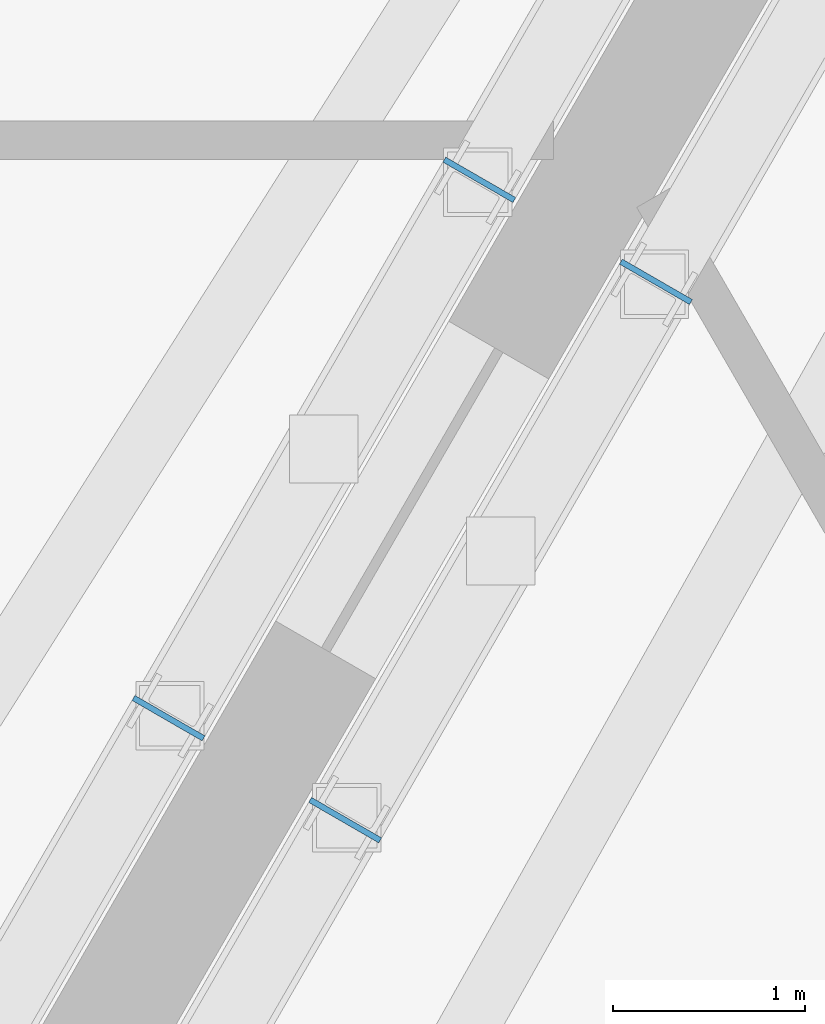
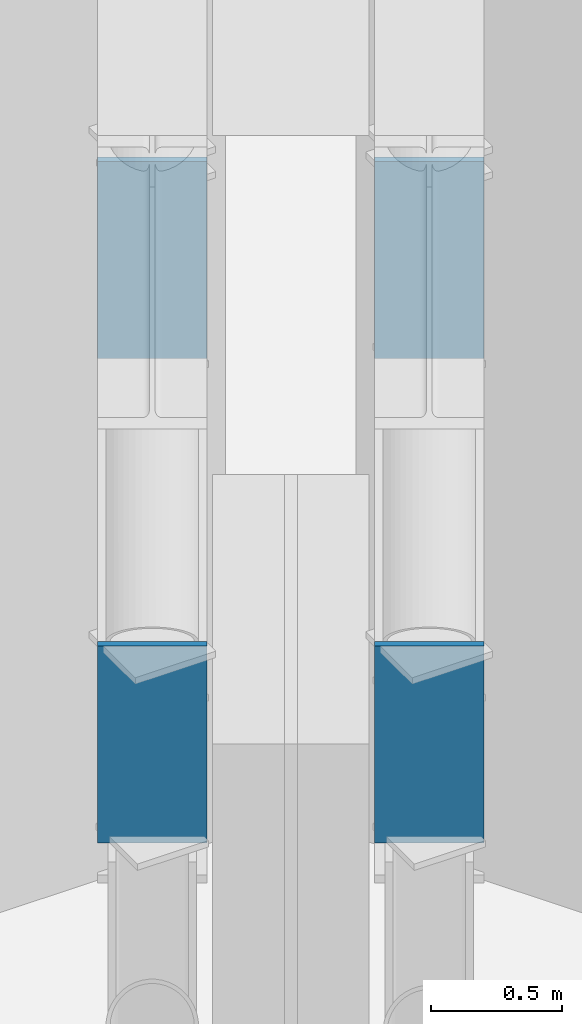
# One storey, part 20 of 27: 4 discrete accessories.
"""IFC4 building model written with IfcOpenShell, lengths in metres."""

from ifc_helpers import new_model, si_unit, direction, frame, origin, origin_2d, place, context, subcontext, project, spatial, rectangle, extrude, material, type_object, element, save


model = new_model("IFC4")

# Units and contexts
model_context = context("Model", 3, precision=1e-05, world=origin(), true_north=direction((0.0, 1.0)))
body_context = subcontext(model_context, "Body", "Model", "MODEL_VIEW")
ifc_project = project(units=[si_unit("LENGTHUNIT", "METRE"), si_unit("AREAUNIT", "SQUARE_METRE"), si_unit("VOLUMEUNIT", "CUBIC_METRE"), si_unit("PLANEANGLEUNIT", "RADIAN"), si_unit("MASSUNIT", "GRAM", prefix="KILO")], contexts=[model_context])

# Site, building, storey
site_placement = place(None, origin())
site = spatial("IfcSite", under=ifc_project, at=site_placement, CompositionType="ELEMENT")
building_placement = place(site_placement, origin())
building = spatial("IfcBuilding", under=site, at=building_placement, Name="Tarnside Tower", CompositionType="ELEMENT")
storey_placement = place(building_placement, frame((0.0, 0.0, 146.699951171875)))
storey = spatial("IfcBuildingStorey", under=building, at=storey_placement, Name="L34", CompositionType="ELEMENT", Elevation=146.699951171875)

# Discrete accessories
ifc_material = material(Name="Steel S355", Category="steel")
discrete_accessory_type = type_object("IfcDiscreteAccessoryType", Name="Gusset plate L34 outrigger end 420", PredefinedType="USERDEFINED", material=ifc_material)
for number, where, z_axis, x_axis, name in (
    (1, (10.94287109375, 20.01416015625, 2.4501953125), (0.0, 0.0, 1.0), (-0.500012091947, -0.866018422383, 0.0), "Gusset plate 1 L34"),
    (2, (12.55908203125, 22.813232421875, 2.4501953125), (0.0, 0.0, 1.0), (0.500012091947, 0.866018422383, 0.0), "Gusset plate 2 L34"),
    (3, (11.861328125, 19.48388671875, 2.4501953125), (0.0, 0.0, 1.0), (-0.500012091947, -0.866018422383, 0.0), "Gusset plate 18 L34"),
    (4, (13.477294921875, 22.282958984375, 2.4501953125), (0.0, 0.0, 1.0), (0.500012091947, 0.866018422383, 0.0), "Gusset plate 19 L34"),
):
    element("IfcDiscreteAccessory", number, at=place(storey_placement, frame(where, z_axis=z_axis, x_axis=x_axis)), inside=storey, type_object=discrete_accessory_type, Name=name, ObjectType="Gusset plate", PredefinedType="USERDEFINED", context=body_context, shape_type="SweptSolid", body=[
        extrude(rectangle(XDim=0.030029296875, YDim=0.42041015625, at=origin_2d()), origin(), (0.0, 0.0, 1.0), 0.9208984375),
    ])

save(model, "model.ifc")
